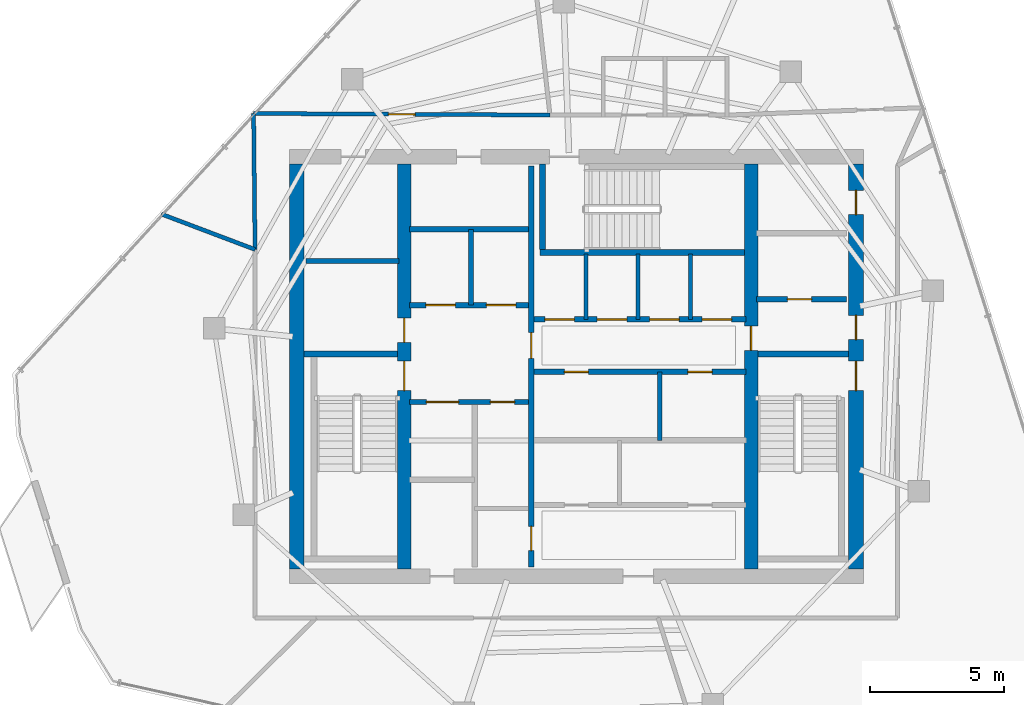
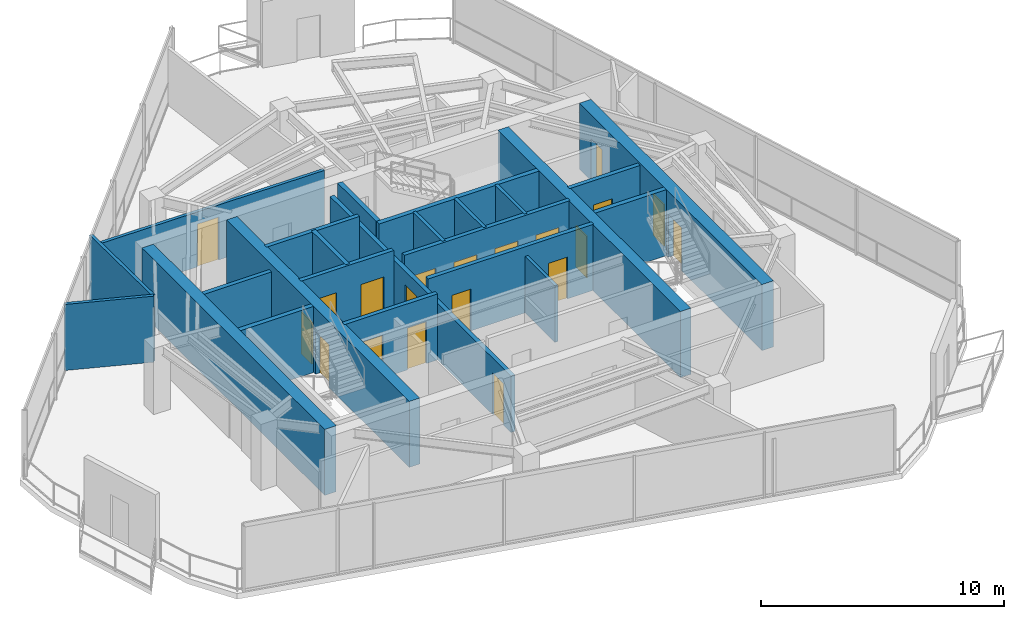
# One storey, part 15 of 18: 24 walls, 20 doors, 20 openings.
"""IFC4 building model written with IfcOpenShell, lengths in metres."""

from ifc_helpers import new_model, si_unit, direction, frame, frame_2d, origin, place, context, subcontext, project, spatial, rectangle, extrude, material, layer, layer_set, type_object, element, fill, save


model = new_model("IFC4")

# Units and contexts
model_context = context("Model", 3, precision=1e-05, world=origin(), true_north=direction((0.0, 1.0)))
body_context = subcontext(model_context, "Body", "Model", "MODEL_VIEW")
ifc_project = project(units=[si_unit("LENGTHUNIT", "METRE"), si_unit("AREAUNIT", "SQUARE_METRE"), si_unit("VOLUMEUNIT", "CUBIC_METRE"), si_unit("PLANEANGLEUNIT", "RADIAN"), si_unit("MASSUNIT", "GRAM", prefix="KILO")], contexts=[model_context])

# Site, building, storey
site_placement = place(None, origin())
site = spatial("IfcSite", under=ifc_project, at=site_placement, CompositionType="ELEMENT")
building_placement = place(site_placement, origin())
building = spatial("IfcBuilding", under=site, at=building_placement, Name="Qarnah Convention Tower", CompositionType="ELEMENT")
storey_placement = place(building_placement, frame((0.0, 0.0, 246.300048828125)))
storey = spatial("IfcBuildingStorey", under=building, at=storey_placement, Name="L66", CompositionType="ELEMENT", Elevation=246.300048828125)

# Wall
ifc_material_1 = material(Name="Concrete C60/75", Category="concrete")
ifc_layer_1 = layer(ifc_material_1, 0.550048828125)
ifc_layer_set_1 = layer_set([ifc_layer_1], Name="Concrete C60/75")
wall_type_1 = type_object("IfcWallType", Name="WL-CORE-550", PredefinedType="SHEAR", material=ifc_layer_set_1)
wall_1_placement = place(storey_placement, frame((26.800048828125, 18.875, 0.0), z_axis=(0.0, 0.0, 1.0), x_axis=(0.0, 1.0, 0.0)))
element("IfcWall", 1, at=wall_1_placement, inside=storey, type_object=wall_type_1, Name="L66 core west shear wall", PredefinedType="SHEAR", context=body_context, shape_type="SweptSolid", body=[
    extrude(rectangle(XDim=15.050048828125, YDim=0.550048828125, at=frame_2d((7.52490234375, 0.0))), origin(), (0.0, 0.0, 1.0), 3.320068359375),
])

# Wall, openings, doors
wall_2_placement = place(storey_placement, frame((47.60009765625, 18.875, 0.0), z_axis=(0.0, 0.0, 1.0), x_axis=(0.0, 1.0, 0.0)))
wall_2 = element("IfcWall", 2, at=wall_2_placement, inside=storey, type_object=wall_type_1, Name="L66 core east shear wall", PredefinedType="SHEAR", context=body_context, shape_type="SweptSolid", body=[
    extrude(rectangle(XDim=15.050048828125, YDim=0.550048828125, at=frame_2d((7.52490234375, 0.0))), origin(), (0.0, 0.0, 1.0), 3.320068359375),
])
opening_1_placement = place(wall_2_placement, frame((6.625, 0.0, 0.0)))
opening_1 = element("IfcOpeningElement", 3, at=opening_1_placement, cuts=wall_2, Name="Opening D-6602", PredefinedType="OPENING", context=body_context, shape_type="SweptSolid", body=[
    extrude(rectangle(XDim=1.10009765625, YDim=2.14990234375, at=frame_2d((0.550048828125, 1.074951171875))), frame((0.0, 0.284912109375, 0.0), z_axis=(0.0, -1.0, 0.0), x_axis=(1.0, 0.0, 0.0)), (0.0, 0.0, 1.0), 0.570068359375),
])
opening_2_placement = place(wall_2_placement, frame((8.52490234375, 0.0, 0.0)))
opening_2 = element("IfcOpeningElement", 4, at=opening_2_placement, cuts=wall_2, Name="Opening D-6606", PredefinedType="OPENING", context=body_context, shape_type="SweptSolid", body=[
    extrude(rectangle(XDim=0.89990234375, YDim=2.10009765625, at=frame_2d((0.449951171875, 1.050048828125))), frame((0.0, 0.284912109375, 0.0), z_axis=(0.0, -1.0, 0.0), x_axis=(1.0, 0.0, 0.0)), (0.0, 0.0, 1.0), 0.570068359375),
])
opening_3_placement = place(wall_2_placement, frame((13.175048828125, 0.0, 0.0)))
opening_3 = element("IfcOpeningElement", 5, at=opening_3_placement, cuts=wall_2, Name="Opening D-6612", PredefinedType="OPENING", context=body_context, shape_type="SweptSolid", body=[
    extrude(rectangle(XDim=0.89990234375, YDim=2.10009765625, at=frame_2d((0.449951171875, 1.050048828125))), frame((0.0, 0.284912109375, 0.0), z_axis=(0.0, -1.0, 0.0), x_axis=(1.0, 0.0, 0.0)), (0.0, 0.0, 1.0), 0.570068359375),
])
ifc_material_2 = material(Name="Structural steel S355JR", Category="steel")
door_type_1 = type_object("IfcDoorType", Name="DT-RISER-900", OperationType="NOTDEFINED", PredefinedType="DOOR", material=ifc_material_2)
door_1_placement = place(opening_2_placement, origin())
door_1 = element("IfcDoor", 6, at=door_1_placement, inside=storey, type_object=door_type_1, Name="Door D-6606", OperationType="SINGLE_SWING_LEFT", OverallHeight=2.10009765625, OverallWidth=0.89990234375, PredefinedType="DOOR", context=body_context, shape_type="SweptSolid", body=[
    extrude(rectangle(XDim=0.89990234375, YDim=2.10009765625, at=frame_2d((0.449951171875, 1.050048828125))), frame((0.0, 0.02490234375, 0.0), z_axis=(0.0, -1.0, 0.0), x_axis=(1.0, 0.0, 0.0)), (0.0, 0.0, 1.0), 0.050048828125),
])
fill(opening_2, door_1)
door_2_placement = place(opening_3_placement, origin())
door_2 = element("IfcDoor", 7, at=door_2_placement, inside=storey, type_object=door_type_1, Name="Door D-6612", OperationType="SINGLE_SWING_LEFT", OverallHeight=2.10009765625, OverallWidth=0.89990234375, PredefinedType="DOOR", context=body_context, shape_type="SweptSolid", body=[
    extrude(rectangle(XDim=0.89990234375, YDim=2.10009765625, at=frame_2d((0.449951171875, 1.050048828125))), frame((0.0, 0.02490234375, 0.0), z_axis=(0.0, -1.0, 0.0), x_axis=(1.0, 0.0, 0.0)), (0.0, 0.0, 1.0), 0.050048828125),
])
fill(opening_3, door_2)
door_type_2 = type_object("IfcDoorType", Name="DT-STAIR-1100", OperationType="NOTDEFINED", PredefinedType="DOOR", material=ifc_material_2)
door_3_placement = place(opening_1_placement, origin())
door_3 = element("IfcDoor", 8, at=door_3_placement, inside=storey, type_object=door_type_2, Name="Door D-6602", OperationType="SINGLE_SWING_LEFT", OverallHeight=2.14990234375, OverallWidth=1.10009765625, PredefinedType="DOOR", context=body_context, shape_type="SweptSolid", body=[
    extrude(rectangle(XDim=1.10009765625, YDim=2.14990234375, at=frame_2d((0.550048828125, 1.074951171875))), frame((0.0, 0.02490234375, 0.0), z_axis=(0.0, -1.0, 0.0), x_axis=(1.0, 0.0, 0.0)), (0.0, 0.0, 1.0), 0.050048828125),
])
fill(opening_1, door_3)

ifc_layer_2 = layer(ifc_material_1, 0.5)
ifc_layer_set_2 = layer_set([ifc_layer_2], Name="Concrete C60/75")
wall_type_2 = type_object("IfcWallType", Name="WL-CORE-INT-400", PredefinedType="SHEAR", material=ifc_layer_set_2)
wall_3_placement = place(storey_placement, frame((30.800048828125, 18.875, 0.0), z_axis=(0.0, 0.0, 1.0), x_axis=(0.0, 1.0, 0.0)))
wall_3 = element("IfcWall", 9, at=wall_3_placement, inside=storey, type_object=wall_type_2, Name="L66 core west spine shear wall", PredefinedType="SHEAR", context=body_context, shape_type="SweptSolid", body=[
    extrude(rectangle(XDim=15.050048828125, YDim=0.5, at=frame_2d((7.52490234375, 0.0))), origin(), (0.0, 0.0, 1.0), 3.320068359375),
])
opening_4_placement = place(wall_3_placement, frame((6.625, 0.0, 0.0)))
opening_4 = element("IfcOpeningElement", 10, at=opening_4_placement, cuts=wall_3, Name="Opening D-6601", PredefinedType="OPENING", context=body_context, shape_type="SweptSolid", body=[
    extrude(rectangle(XDim=1.10009765625, YDim=2.14990234375, at=frame_2d((0.550048828125, 1.074951171875))), frame((0.0, 0.260009765625, 0.0), z_axis=(0.0, -1.0, 0.0), x_axis=(1.0, 0.0, 0.0)), (0.0, 0.0, 1.0), 0.52001953125),
])
opening_5_placement = place(wall_3_placement, frame((8.425048828125, 0.0, 0.0)))
opening_5 = element("IfcOpeningElement", 11, at=opening_5_placement, cuts=wall_3, Name="Opening D-6608", PredefinedType="OPENING", context=body_context, shape_type="SweptSolid", body=[
    extrude(rectangle(XDim=0.89990234375, YDim=2.10009765625, at=frame_2d((0.449951171875, 1.050048828125))), frame((0.0, 0.260009765625, 0.0), z_axis=(0.0, -1.0, 0.0), x_axis=(1.0, 0.0, 0.0)), (0.0, 0.0, 1.0), 0.52001953125),
])
door_4_placement = place(opening_5_placement, origin())
door_4 = element("IfcDoor", 12, at=door_4_placement, inside=storey, type_object=door_type_1, Name="Door D-6608", OperationType="SINGLE_SWING_LEFT", OverallHeight=2.10009765625, OverallWidth=0.89990234375, PredefinedType="DOOR", context=body_context, shape_type="SweptSolid", body=[
    extrude(rectangle(XDim=0.89990234375, YDim=2.10009765625, at=frame_2d((0.449951171875, 1.050048828125))), frame((0.0, 0.02490234375, 0.0), z_axis=(0.0, -1.0, 0.0), x_axis=(1.0, 0.0, 0.0)), (0.0, 0.0, 1.0), 0.050048828125),
])
fill(opening_5, door_4)
door_5_placement = place(opening_4_placement, origin())
door_5 = element("IfcDoor", 13, at=door_5_placement, inside=storey, type_object=door_type_2, Name="Door D-6601", OperationType="SINGLE_SWING_RIGHT", OverallHeight=2.14990234375, OverallWidth=1.10009765625, PredefinedType="DOOR", context=body_context, shape_type="SweptSolid", body=[
    extrude(rectangle(XDim=1.10009765625, YDim=2.14990234375, at=frame_2d((0.550048828125, 1.074951171875))), frame((0.0, 0.02490234375, 0.0), z_axis=(0.0, -1.0, 0.0), x_axis=(1.0, 0.0, 0.0)), (0.0, 0.0, 1.0), 0.050048828125),
])
fill(opening_4, door_5)

# Wall, opening, door
wall_4_placement = place(storey_placement, frame((43.699951171875, 18.875, 0.0), z_axis=(0.0, 0.0, 1.0), x_axis=(0.0, 1.0, 0.0)))
wall_4 = element("IfcWall", 14, at=wall_4_placement, inside=storey, type_object=wall_type_2, Name="L66 core east spine shear wall", PredefinedType="SHEAR", context=body_context, shape_type="SweptSolid", body=[
    extrude(rectangle(XDim=15.050048828125, YDim=0.5, at=frame_2d((7.52490234375, 0.0))), origin(), (0.0, 0.0, 1.0), 3.320068359375),
])
opening_6_placement = place(wall_4_placement, frame((8.125, 0.0, 0.0)))
opening_6 = element("IfcOpeningElement", 15, at=opening_6_placement, cuts=wall_4, Name="Opening D-6605", PredefinedType="OPENING", context=body_context, shape_type="SweptSolid", body=[
    extrude(rectangle(XDim=0.89990234375, YDim=2.10009765625, at=frame_2d((0.449951171875, 1.050048828125))), frame((0.0, 0.260009765625, 0.0), z_axis=(0.0, -1.0, 0.0), x_axis=(1.0, 0.0, 0.0)), (0.0, 0.0, 1.0), 0.52001953125),
])
door_6_placement = place(opening_6_placement, origin())
door_6 = element("IfcDoor", 16, at=door_6_placement, inside=storey, type_object=door_type_1, Name="Door D-6605", OperationType="SINGLE_SWING_RIGHT", OverallHeight=2.10009765625, OverallWidth=0.89990234375, PredefinedType="DOOR", context=body_context, shape_type="SweptSolid", body=[
    extrude(rectangle(XDim=0.89990234375, YDim=2.10009765625, at=frame_2d((0.449951171875, 1.050048828125))), frame((0.0, 0.02490234375, 0.0), z_axis=(0.0, -1.0, 0.0), x_axis=(1.0, 0.0, 0.0)), (0.0, 0.0, 1.0), 0.050048828125),
])
fill(opening_6, door_6)

# Wall
ifc_material_3 = material(Name="Concrete C45/55", Category="concrete")
ifc_layer_3 = layer(ifc_material_3, 0.199951171875)
ifc_layer_set_3 = layer_set([ifc_layer_3], Name="Concrete C45/55")
wall_type_3 = type_object("IfcWallType", Name="WL-CORE-PART-200", PredefinedType="SOLIDWALL", material=ifc_layer_set_3)
wall_5_placement = place(storey_placement, frame((27.14990234375, 30.320068359375, 0.0), z_axis=(0.0, 0.0, 1.0), x_axis=(1.0, 0.0, 0.0)))
element("IfcWall", 17, at=wall_5_placement, inside=storey, type_object=wall_type_3, Name="L66 interior wall IW-L66-ELRN", PredefinedType="SOLIDWALL", context=body_context, shape_type="SweptSolid", body=[
    extrude(rectangle(XDim=3.4501953125, YDim=0.199951171875, at=frame_2d((1.72509765625, 0.0))), origin(), (0.0, 0.0, 1.0), 2.948974609375),
])

# Wall, opening, door
wall_6_placement = place(storey_placement, frame((43.89990234375, 28.89990234375, 0.0), z_axis=(0.0, 0.0, 1.0), x_axis=(1.0, 0.0, 0.0)))
wall_6 = element("IfcWall", 18, at=wall_6_placement, inside=storey, type_object=wall_type_3, Name="L66 interior wall IW-L66-EVSTN", PredefinedType="SOLIDWALL", context=body_context, shape_type="SweptSolid", body=[
    extrude(rectangle(XDim=3.35009765625, YDim=0.199951171875, at=frame_2d((1.675048828125, 0.0))), origin(), (0.0, 0.0, 1.0), 3.320068359375),
])
opening_7_placement = place(wall_6_placement, frame((1.14990234375, 0.0, 0.0)))
opening_7 = element("IfcOpeningElement", 19, at=opening_7_placement, cuts=wall_6, Name="Opening D-6611", PredefinedType="OPENING", context=body_context, shape_type="SweptSolid", body=[
    extrude(rectangle(XDim=0.89990234375, YDim=2.10009765625, at=frame_2d((0.449951171875, 1.050048828125))), frame((0.0, 0.10986328125, 0.0), z_axis=(0.0, -1.0, 0.0), x_axis=(1.0, 0.0, 0.0)), (0.0, 0.0, 1.0), 0.219970703125),
])
door_7_placement = place(opening_7_placement, origin())
door_7 = element("IfcDoor", 20, at=door_7_placement, inside=storey, type_object=door_type_1, Name="Door D-6611", OperationType="SINGLE_SWING_RIGHT", OverallHeight=2.10009765625, OverallWidth=0.89990234375, PredefinedType="DOOR", context=body_context, shape_type="SweptSolid", body=[
    extrude(rectangle(XDim=0.89990234375, YDim=2.10009765625, at=frame_2d((0.449951171875, 1.050048828125))), frame((0.0, 0.02490234375, 0.0), z_axis=(0.0, -1.0, 0.0), x_axis=(1.0, 0.0, 0.0)), (0.0, 0.0, 1.0), 0.050048828125),
])
fill(opening_7, door_7)

# Wall, openings, doors
wall_7_placement = place(storey_placement, frame((35.52001953125, 18.949951171875, 0.0), z_axis=(0.0, 0.0, 1.0), x_axis=(0.0, 1.0, 0.0)))
wall_7 = element("IfcWall", 21, at=wall_7_placement, inside=storey, type_object=wall_type_3, Name="L66 interior wall IW-L66-CSP", PredefinedType="SOLIDWALL", context=body_context, shape_type="SweptSolid", body=[
    extrude(rectangle(XDim=14.900146484375, YDim=0.199951171875, at=frame_2d((7.4501953125, 0.0))), origin(), (0.0, 0.0, 1.0), 2.841064453125),
])
opening_8_placement = place(wall_7_placement, frame((7.7548828125, 0.0, 0.0)))
opening_8 = element("IfcOpeningElement", 22, at=opening_8_placement, cuts=wall_7, Name="Opening D-6604", PredefinedType="OPENING", context=body_context, shape_type="SweptSolid", body=[
    extrude(rectangle(XDim=0.949951171875, YDim=2.14990234375, at=frame_2d((0.47509765625, 1.074951171875))), frame((0.0, 0.10986328125, 0.0), z_axis=(0.0, -1.0, 0.0), x_axis=(1.0, 0.0, 0.0)), (0.0, 0.0, 1.0), 0.219970703125),
])
opening_9_placement = place(wall_7_placement, frame((0.60009765625, 0.0, 0.0)))
opening_9 = element("IfcOpeningElement", 23, at=opening_9_placement, cuts=wall_7, Name="Opening D-6614", PredefinedType="OPENING", context=body_context, shape_type="SweptSolid", body=[
    extrude(rectangle(XDim=0.89990234375, YDim=2.10009765625, at=frame_2d((0.449951171875, 1.050048828125))), frame((0.0, 0.10986328125, 0.0), z_axis=(0.0, -1.0, 0.0), x_axis=(1.0, 0.0, 0.0)), (0.0, 0.0, 1.0), 0.219970703125),
])
ifc_material_4 = material(Name="Oak timber veneer", Category="wood")
door_type_3 = type_object("IfcDoorType", Name="DT-HOTEL-950", OperationType="NOTDEFINED", PredefinedType="DOOR", material=ifc_material_4)
door_8_placement = place(opening_8_placement, origin())
door_8 = element("IfcDoor", 24, at=door_8_placement, inside=storey, type_object=door_type_3, Name="Door D-6604", OperationType="SINGLE_SWING_LEFT", OverallHeight=2.14990234375, OverallWidth=0.949951171875, PredefinedType="DOOR", context=body_context, shape_type="SweptSolid", body=[
    extrude(rectangle(XDim=0.949951171875, YDim=2.14990234375, at=frame_2d((0.47509765625, 1.074951171875))), frame((0.0, 0.02490234375, 0.0), z_axis=(0.0, -1.0, 0.0), x_axis=(1.0, 0.0, 0.0)), (0.0, 0.0, 1.0), 0.050048828125),
])
fill(opening_8, door_8)
door_9_placement = place(opening_9_placement, origin())
door_9 = element("IfcDoor", 25, at=door_9_placement, inside=storey, type_object=door_type_1, Name="Door D-6614", OperationType="SINGLE_SWING_LEFT", OverallHeight=2.10009765625, OverallWidth=0.89990234375, PredefinedType="DOOR", context=body_context, shape_type="SweptSolid", body=[
    extrude(rectangle(XDim=0.89990234375, YDim=2.10009765625, at=frame_2d((0.449951171875, 1.050048828125))), frame((0.0, 0.02490234375, 0.0), z_axis=(0.0, -1.0, 0.0), x_axis=(1.0, 0.0, 0.0)), (0.0, 0.0, 1.0), 0.050048828125),
])
fill(opening_9, door_9)

wall_8_placement = place(storey_placement, frame((31.0, 28.679931640625, 0.0), z_axis=(0.0, 0.0, 1.0), x_axis=(1.0, 0.0, 0.0)))
wall_8 = element("IfcWall", 26, at=wall_8_placement, inside=storey, type_object=wall_type_3, Name="L66 interior wall IW-L66-FFLS", PredefinedType="SOLIDWALL", context=body_context, shape_type="SweptSolid", body=[
    extrude(rectangle(XDim=4.419921875, YDim=0.199951171875, at=frame_2d((2.2099609375, 0.0))), origin(), (0.0, 0.0, 1.0), 3.320068359375),
])
opening_10_placement = place(wall_8_placement, frame((0.60009765625, 0.0, 0.0)))
opening_10 = element("IfcOpeningElement", 27, at=opening_10_placement, cuts=wall_8, Name="Opening LD-6601", PredefinedType="OPENING", context=body_context, shape_type="SweptSolid", body=[
    extrude(rectangle(XDim=1.10009765625, YDim=2.14990234375, at=frame_2d((0.550048828125, 1.074951171875))), frame((0.0, 0.10986328125, 0.0), z_axis=(0.0, -1.0, 0.0), x_axis=(1.0, 0.0, 0.0)), (0.0, 0.0, 1.0), 0.219970703125),
])
opening_11_placement = place(wall_8_placement, frame((2.85009765625, 0.0, 0.0)))
opening_11 = element("IfcOpeningElement", 28, at=opening_11_placement, cuts=wall_8, Name="Opening LD-6602", PredefinedType="OPENING", context=body_context, shape_type="SweptSolid", body=[
    extrude(rectangle(XDim=1.10009765625, YDim=2.14990234375, at=frame_2d((0.550048828125, 1.074951171875))), frame((0.0, 0.10986328125, 0.0), z_axis=(0.0, -1.0, 0.0), x_axis=(1.0, 0.0, 0.0)), (0.0, 0.0, 1.0), 0.219970703125),
])
door_type_4 = type_object("IfcDoorType", Name="DT-LIFT-1100", OperationType="SLIDING_TO_LEFT", PredefinedType="DOOR", material=ifc_material_2)
door_10_placement = place(opening_10_placement, origin())
door_10 = element("IfcDoor", 29, at=door_10_placement, inside=storey, type_object=door_type_4, Name="Door LD-6601", OperationType="SLIDING_TO_LEFT", OverallHeight=2.14990234375, OverallWidth=1.10009765625, PredefinedType="DOOR", context=body_context, shape_type="SweptSolid", body=[
    extrude(rectangle(XDim=1.10009765625, YDim=2.14990234375, at=frame_2d((0.550048828125, 1.074951171875))), frame((0.0, 0.02490234375, 0.0), z_axis=(0.0, -1.0, 0.0), x_axis=(1.0, 0.0, 0.0)), (0.0, 0.0, 1.0), 0.050048828125),
])
fill(opening_10, door_10)
door_11_placement = place(opening_11_placement, origin())
door_11 = element("IfcDoor", 30, at=door_11_placement, inside=storey, type_object=door_type_4, Name="Door LD-6602", OperationType="SLIDING_TO_LEFT", OverallHeight=2.14990234375, OverallWidth=1.10009765625, PredefinedType="DOOR", context=body_context, shape_type="SweptSolid", body=[
    extrude(rectangle(XDim=1.10009765625, YDim=2.14990234375, at=frame_2d((0.550048828125, 1.074951171875))), frame((0.0, 0.02490234375, 0.0), z_axis=(0.0, -1.0, 0.0), x_axis=(1.0, 0.0, 0.0)), (0.0, 0.0, 1.0), 0.050048828125),
])
fill(opening_11, door_11)

# Walls
wall_9_placement = place(storey_placement, frame((31.0, 31.5, 0.0), z_axis=(0.0, 0.0, 1.0), x_axis=(1.0, 0.0, 0.0)))
element("IfcWall", 31, at=wall_9_placement, inside=storey, type_object=wall_type_3, Name="L66 interior wall IW-L66-FFLN", PredefinedType="SOLIDWALL", context=body_context, shape_type="SweptSolid", body=[
    extrude(rectangle(XDim=4.419921875, YDim=0.199951171875, at=frame_2d((2.2099609375, 0.0))), origin(), (0.0, 0.0, 1.0), 3.320068359375),
])
wall_10_placement = place(storey_placement, frame((33.280029296875, 28.679931640625, 0.0), z_axis=(0.0, 0.0, 1.0), x_axis=(0.0, 1.0, 0.0)))
element("IfcWall", 32, at=wall_10_placement, inside=storey, type_object=wall_type_3, Name="L66 interior wall IW-L66-FFLM", PredefinedType="SOLIDWALL", context=body_context, shape_type="SweptSolid", body=[
    extrude(rectangle(XDim=2.820068359375, YDim=0.199951171875, at=frame_2d((1.41015625, 0.0))), origin(), (0.0, 0.0, 1.0), 3.320068359375),
])

# Wall, openings, doors
wall_11_placement = place(storey_placement, frame((31.0, 25.080078125, 0.0), z_axis=(0.0, 0.0, 1.0), x_axis=(1.0, 0.0, 0.0)))
wall_11 = element("IfcWall", 33, at=wall_11_placement, inside=storey, type_object=wall_type_3, Name="L66 interior wall IW-L66-FFLBS", PredefinedType="SOLIDWALL", context=body_context, shape_type="SweptSolid", body=[
    extrude(rectangle(XDim=4.419921875, YDim=0.199951171875, at=frame_2d((2.2099609375, 0.0))), origin(), (0.0, 0.0, 1.0), 3.320068359375),
])
opening_12_placement = place(wall_11_placement, frame((3.0, 0.0, 0.0)))
opening_12 = element("IfcOpeningElement", 34, at=opening_12_placement, cuts=wall_11, Name="Opening D-6615", PredefinedType="OPENING", context=body_context, shape_type="SweptSolid", body=[
    extrude(rectangle(XDim=0.89990234375, YDim=2.10009765625, at=frame_2d((0.449951171875, 1.050048828125))), frame((0.0, 0.10986328125, 0.0), z_axis=(0.0, -1.0, 0.0), x_axis=(1.0, 0.0, 0.0)), (0.0, 0.0, 1.0), 0.219970703125),
])
opening_13_placement = place(wall_11_placement, frame((0.6201171875, 0.0, 0.0)))
opening_13 = element("IfcOpeningElement", 35, at=opening_13_placement, cuts=wall_11, Name="Opening LD-6603", PredefinedType="OPENING", context=body_context, shape_type="SweptSolid", body=[
    extrude(rectangle(XDim=1.199951171875, YDim=2.14990234375, at=frame_2d((0.60009765625, 1.074951171875))), frame((0.0, 0.10986328125, 0.0), z_axis=(0.0, -1.0, 0.0), x_axis=(1.0, 0.0, 0.0)), (0.0, 0.0, 1.0), 0.219970703125),
])
door_type_5 = type_object("IfcDoorType", Name="DT-LIFT-1200", OperationType="SLIDING_TO_LEFT", PredefinedType="DOOR", material=ifc_material_2)
door_12_placement = place(opening_13_placement, origin())
door_12 = element("IfcDoor", 36, at=door_12_placement, inside=storey, type_object=door_type_5, Name="Door LD-6603", OperationType="SLIDING_TO_LEFT", OverallHeight=2.14990234375, OverallWidth=1.199951171875, PredefinedType="DOOR", context=body_context, shape_type="SweptSolid", body=[
    extrude(rectangle(XDim=1.199951171875, YDim=2.14990234375, at=frame_2d((0.60009765625, 1.074951171875))), frame((0.0, 0.02490234375, 0.0), z_axis=(0.0, -1.0, 0.0), x_axis=(1.0, 0.0, 0.0)), (0.0, 0.0, 1.0), 0.050048828125),
])
fill(opening_13, door_12)
door_13_placement = place(opening_12_placement, origin())
door_13 = element("IfcDoor", 37, at=door_13_placement, inside=storey, type_object=door_type_1, Name="Door D-6615", OperationType="SINGLE_SWING_RIGHT", OverallHeight=2.10009765625, OverallWidth=0.89990234375, PredefinedType="DOOR", context=body_context, shape_type="SweptSolid", body=[
    extrude(rectangle(XDim=0.89990234375, YDim=2.10009765625, at=frame_2d((0.449951171875, 1.050048828125))), frame((0.0, 0.02490234375, 0.0), z_axis=(0.0, -1.0, 0.0), x_axis=(1.0, 0.0, 0.0)), (0.0, 0.0, 1.0), 0.050048828125),
])
fill(opening_12, door_13)

wall_12_placement = place(storey_placement, frame((35.6201171875, 28.14990234375, 0.0), z_axis=(0.0, 0.0, 1.0), x_axis=(1.0, 0.0, 0.0)))
wall_12 = element("IfcWall", 38, at=wall_12_placement, inside=storey, type_object=wall_type_3, Name="L66 interior wall IW-L66-PHS", PredefinedType="SOLIDWALL", context=body_context, shape_type="SweptSolid", body=[
    extrude(rectangle(XDim=7.8798828125, YDim=0.199951171875, at=frame_2d((3.93994140625, 0.0))), origin(), (0.0, 0.0, 1.0), 3.320068359375),
])
opening_14_placement = place(wall_12_placement, frame((0.405029296875, 0.0, 0.0)))
opening_14 = element("IfcOpeningElement", 39, at=opening_14_placement, cuts=wall_12, Name="Opening LD-6604", PredefinedType="OPENING", context=body_context, shape_type="SweptSolid", body=[
    extrude(rectangle(XDim=1.10009765625, YDim=2.14990234375, at=frame_2d((0.550048828125, 1.074951171875))), frame((0.0, 0.10986328125, 0.0), z_axis=(0.0, -1.0, 0.0), x_axis=(1.0, 0.0, 0.0)), (0.0, 0.0, 1.0), 0.219970703125),
])
opening_15_placement = place(wall_12_placement, frame((2.35498046875, 0.0, 0.0)))
opening_15 = element("IfcOpeningElement", 40, at=opening_15_placement, cuts=wall_12, Name="Opening LD-6605", PredefinedType="OPENING", context=body_context, shape_type="SweptSolid", body=[
    extrude(rectangle(XDim=1.10009765625, YDim=2.14990234375, at=frame_2d((0.550048828125, 1.074951171875))), frame((0.0, 0.10986328125, 0.0), z_axis=(0.0, -1.0, 0.0), x_axis=(1.0, 0.0, 0.0)), (0.0, 0.0, 1.0), 0.219970703125),
])
opening_16_placement = place(wall_12_placement, frame((4.304931640625, 0.0, 0.0)))
opening_16 = element("IfcOpeningElement", 41, at=opening_16_placement, cuts=wall_12, Name="Opening LD-6606", PredefinedType="OPENING", context=body_context, shape_type="SweptSolid", body=[
    extrude(rectangle(XDim=1.10009765625, YDim=2.14990234375, at=frame_2d((0.550048828125, 1.074951171875))), frame((0.0, 0.10986328125, 0.0), z_axis=(0.0, -1.0, 0.0), x_axis=(1.0, 0.0, 0.0)), (0.0, 0.0, 1.0), 0.219970703125),
])
opening_17_placement = place(wall_12_placement, frame((6.2548828125, 0.0, 0.0)))
opening_17 = element("IfcOpeningElement", 42, at=opening_17_placement, cuts=wall_12, Name="Opening LD-6607", PredefinedType="OPENING", context=body_context, shape_type="SweptSolid", body=[
    extrude(rectangle(XDim=1.10009765625, YDim=2.14990234375, at=frame_2d((0.550048828125, 1.074951171875))), frame((0.0, 0.10986328125, 0.0), z_axis=(0.0, -1.0, 0.0), x_axis=(1.0, 0.0, 0.0)), (0.0, 0.0, 1.0), 0.219970703125),
])
door_14_placement = place(opening_14_placement, origin())
door_14 = element("IfcDoor", 43, at=door_14_placement, inside=storey, type_object=door_type_4, Name="Door LD-6604", OperationType="SLIDING_TO_LEFT", OverallHeight=2.14990234375, OverallWidth=1.10009765625, PredefinedType="DOOR", context=body_context, shape_type="SweptSolid", body=[
    extrude(rectangle(XDim=1.10009765625, YDim=2.14990234375, at=frame_2d((0.550048828125, 1.074951171875))), frame((0.0, 0.02490234375, 0.0), z_axis=(0.0, -1.0, 0.0), x_axis=(1.0, 0.0, 0.0)), (0.0, 0.0, 1.0), 0.050048828125),
])
fill(opening_14, door_14)
door_15_placement = place(opening_15_placement, origin())
door_15 = element("IfcDoor", 44, at=door_15_placement, inside=storey, type_object=door_type_4, Name="Door LD-6605", OperationType="SLIDING_TO_LEFT", OverallHeight=2.14990234375, OverallWidth=1.10009765625, PredefinedType="DOOR", context=body_context, shape_type="SweptSolid", body=[
    extrude(rectangle(XDim=1.10009765625, YDim=2.14990234375, at=frame_2d((0.550048828125, 1.074951171875))), frame((0.0, 0.02490234375, 0.0), z_axis=(0.0, -1.0, 0.0), x_axis=(1.0, 0.0, 0.0)), (0.0, 0.0, 1.0), 0.050048828125),
])
fill(opening_15, door_15)
door_16_placement = place(opening_16_placement, origin())
door_16 = element("IfcDoor", 45, at=door_16_placement, inside=storey, type_object=door_type_4, Name="Door LD-6606", OperationType="SLIDING_TO_LEFT", OverallHeight=2.14990234375, OverallWidth=1.10009765625, PredefinedType="DOOR", context=body_context, shape_type="SweptSolid", body=[
    extrude(rectangle(XDim=1.10009765625, YDim=2.14990234375, at=frame_2d((0.550048828125, 1.074951171875))), frame((0.0, 0.02490234375, 0.0), z_axis=(0.0, -1.0, 0.0), x_axis=(1.0, 0.0, 0.0)), (0.0, 0.0, 1.0), 0.050048828125),
])
fill(opening_16, door_16)
door_17_placement = place(opening_17_placement, origin())
door_17 = element("IfcDoor", 46, at=door_17_placement, inside=storey, type_object=door_type_4, Name="Door LD-6607", OperationType="SLIDING_TO_LEFT", OverallHeight=2.14990234375, OverallWidth=1.10009765625, PredefinedType="DOOR", context=body_context, shape_type="SweptSolid", body=[
    extrude(rectangle(XDim=1.10009765625, YDim=2.14990234375, at=frame_2d((0.550048828125, 1.074951171875))), frame((0.0, 0.02490234375, 0.0), z_axis=(0.0, -1.0, 0.0), x_axis=(1.0, 0.0, 0.0)), (0.0, 0.0, 1.0), 0.050048828125),
])
fill(opening_17, door_17)

wall_13_placement = place(storey_placement, frame((35.6201171875, 26.199951171875, 0.0), z_axis=(0.0, 0.0, 1.0), x_axis=(1.0, 0.0, 0.0)))
wall_13 = element("IfcWall", 47, at=wall_13_placement, inside=storey, type_object=wall_type_3, Name="L66 interior wall IW-L66-PMN", PredefinedType="SOLIDWALL", context=body_context, shape_type="SweptSolid", body=[
    extrude(rectangle(XDim=7.8798828125, YDim=0.199951171875, at=frame_2d((3.93994140625, 0.0))), origin(), (0.0, 0.0, 1.0), 3.320068359375),
])
opening_18_placement = place(wall_13_placement, frame((1.1298828125, 0.0, 0.0)))
opening_18 = element("IfcOpeningElement", 48, at=opening_18_placement, cuts=wall_13, Name="Opening D-6618", PredefinedType="OPENING", context=body_context, shape_type="SweptSolid", body=[
    extrude(rectangle(XDim=0.89990234375, YDim=2.10009765625, at=frame_2d((0.449951171875, 1.050048828125))), frame((0.0, 0.10986328125, 0.0), z_axis=(0.0, -1.0, 0.0), x_axis=(1.0, 0.0, 0.0)), (0.0, 0.0, 1.0), 0.219970703125),
])
opening_19_placement = place(wall_13_placement, frame((5.72998046875, 0.0, 0.0)))
opening_19 = element("IfcOpeningElement", 49, at=opening_19_placement, cuts=wall_13, Name="Opening D-6619", PredefinedType="OPENING", context=body_context, shape_type="SweptSolid", body=[
    extrude(rectangle(XDim=0.89990234375, YDim=2.10009765625, at=frame_2d((0.449951171875, 1.050048828125))), frame((0.0, 0.10986328125, 0.0), z_axis=(0.0, -1.0, 0.0), x_axis=(1.0, 0.0, 0.0)), (0.0, 0.0, 1.0), 0.219970703125),
])
door_18_placement = place(opening_18_placement, origin())
door_18 = element("IfcDoor", 50, at=door_18_placement, inside=storey, type_object=door_type_1, Name="Door D-6618", OperationType="SINGLE_SWING_LEFT", OverallHeight=2.10009765625, OverallWidth=0.89990234375, PredefinedType="DOOR", context=body_context, shape_type="SweptSolid", body=[
    extrude(rectangle(XDim=0.89990234375, YDim=2.10009765625, at=frame_2d((0.449951171875, 1.050048828125))), frame((0.0, 0.02490234375, 0.0), z_axis=(0.0, -1.0, 0.0), x_axis=(1.0, 0.0, 0.0)), (0.0, 0.0, 1.0), 0.050048828125),
])
fill(opening_18, door_18)
door_19_placement = place(opening_19_placement, origin())
door_19 = element("IfcDoor", 51, at=door_19_placement, inside=storey, type_object=door_type_1, Name="Door D-6619", OperationType="SINGLE_SWING_RIGHT", OverallHeight=2.10009765625, OverallWidth=0.89990234375, PredefinedType="DOOR", context=body_context, shape_type="SweptSolid", body=[
    extrude(rectangle(XDim=0.89990234375, YDim=2.10009765625, at=frame_2d((0.449951171875, 1.050048828125))), frame((0.0, 0.02490234375, 0.0), z_axis=(0.0, -1.0, 0.0), x_axis=(1.0, 0.0, 0.0)), (0.0, 0.0, 1.0), 0.050048828125),
])
fill(opening_19, door_19)

# Walls
ifc_layer_4 = layer(ifc_material_1, 0.219970703125)
ifc_layer_set_4 = layer_set([ifc_layer_4], Name="Concrete C60/75")
wall_type_4 = type_object("IfcWallType", Name="WL-CORE-STAIR-220", PredefinedType="SHEAR", material=ifc_layer_set_4)
wall_14_placement = place(storey_placement, frame((27.074951171875, 26.860107421875, 0.0), z_axis=(0.0, 0.0, 1.0), x_axis=(1.0, 0.0, 0.0)))
element("IfcWall", 52, at=wall_14_placement, inside=storey, type_object=wall_type_4, Name="L66 stair shaft shear wall SW-L66-ST1N", PredefinedType="SHEAR", context=body_context, shape_type="SweptSolid", body=[
    extrude(rectangle(XDim=3.47509765625, YDim=0.219970703125, at=frame_2d((1.737548828125, 0.0))), origin(), (0.0, 0.0, 1.0), 3.320068359375),
])
wall_15_placement = place(storey_placement, frame((43.949951171875, 26.860107421875, 0.0), z_axis=(0.0, 0.0, 1.0), x_axis=(1.0, 0.0, 0.0)))
element("IfcWall", 53, at=wall_15_placement, inside=storey, type_object=wall_type_4, Name="L66 stair shaft shear wall SW-L66-ST2N", PredefinedType="SHEAR", context=body_context, shape_type="SweptSolid", body=[
    extrude(rectangle(XDim=3.375, YDim=0.219970703125, at=frame_2d((1.6875, 0.0))), origin(), (0.0, 0.0, 1.0), 3.320068359375),
])
wall_16_placement = place(storey_placement, frame((35.840087890625, 30.639892578125, 0.0), z_axis=(0.0, 0.0, 1.0), x_axis=(1.0, 0.0, 0.0)))
element("IfcWall", 54, at=wall_16_placement, inside=storey, type_object=wall_type_4, Name="L66 stair shaft shear wall SW-L66-ST3S", PredefinedType="SHEAR", context=body_context, shape_type="SweptSolid", body=[
    extrude(rectangle(XDim=7.60986328125, YDim=0.219970703125, at=frame_2d((3.804931640625, 0.0))), origin(), (0.0, 0.0, 1.0), 3.320068359375),
])
wall_17_placement = place(storey_placement, frame((35.93994140625, 30.75, 0.0), z_axis=(0.0, 0.0, 1.0), x_axis=(0.0, 1.0, 0.0)))
element("IfcWall", 55, at=wall_17_placement, inside=storey, type_object=wall_type_4, Name="L66 stair shaft shear wall SW-L66-ST3W", PredefinedType="SHEAR", context=body_context, shape_type="SweptSolid", body=[
    extrude(rectangle(XDim=3.175048828125, YDim=0.219970703125, at=frame_2d((1.58740234375, 0.0))), origin(), (0.0, 0.0, 1.0), 3.320068359375),
])
ifc_material_5 = material(Name="Gypsum partition board")
ifc_layer_5 = layer(ifc_material_5, 0.14990234375)
ifc_layer_set_5 = layer_set([ifc_layer_5], Name="Gypsum partition board")
wall_type_5 = type_object("IfcWallType", Name="WL-SUITE-150", PredefinedType="PARTITIONING", material=ifc_layer_set_5)
for number, where, z_axis, x_axis, name in (
    (56, (37.550048828125, 28.14990234375, 0.0), (0.0, 0.0, 1.0), (0.0, 1.0, 0.0), "L66 interior wall IW-L66-PHD1"),
    (57, (39.5, 28.14990234375, 0.0), (0.0, 0.0, 1.0), (0.0, 1.0, 0.0), "L66 interior wall IW-L66-PHD2"),
    (58, (41.449951171875, 28.14990234375, 0.0), (0.0, 0.0, 1.0), (0.0, 1.0, 0.0), "L66 interior wall IW-L66-PHD3"),
):
    element("IfcWall", number, at=place(storey_placement, frame(where, z_axis=z_axis, x_axis=x_axis)), inside=storey, type_object=wall_type_5, Name=name, PredefinedType="PARTITIONING", context=body_context, shape_type="SweptSolid", body=[
        extrude(rectangle(XDim=2.43017578125, YDim=0.14990234375, at=frame_2d((1.215087890625, 0.0))), origin(), (0.0, 0.0, 1.0), 3.320068359375),
    ])
wall_18_placement = place(storey_placement, frame((40.300048828125, 23.64990234375, 0.0), z_axis=(0.0, 0.0, 1.0), x_axis=(0.0, 1.0, 0.0)))
element("IfcWall", 59, at=wall_18_placement, inside=storey, type_object=wall_type_5, Name="L66 interior wall IW-L66-PMFD", PredefinedType="PARTITIONING", context=body_context, shape_type="SweptSolid", body=[
    extrude(rectangle(XDim=2.550048828125, YDim=0.14990234375, at=frame_2d((1.27490234375, 0.0))), origin(), (0.0, 0.0, 1.0), 2.841064453125),
])
wall_19_placement = place(storey_placement, frame((21.762939453125, 32.06689453125, 0.0), z_axis=(0.0, 0.0, 1.0), x_axis=(0.935424451938, -0.353526653474, 0.0)))
element("IfcWall", 60, at=wall_19_placement, inside=storey, type_object=wall_type_5, Name="L66 interior wall IW-L66-R-13", PredefinedType="PARTITIONING", context=body_context, shape_type="SweptSolid", body=[
    extrude(rectangle(XDim=3.727783203125, YDim=0.14990234375, at=frame_2d((1.86376953125, 0.0))), origin(), (0.0, 0.0, 1.0), 3.320068359375),
])
wall_20_placement = place(storey_placement, frame((25.25, 30.7490234375, 0.0), z_axis=(0.0, 0.0, 1.0), x_axis=(-0.010664387249, 0.999943133805, 0.0)))
element("IfcWall", 61, at=wall_20_placement, inside=storey, type_object=wall_type_5, Name="L66 interior wall IW-L66-R-14", PredefinedType="PARTITIONING", context=body_context, shape_type="SweptSolid", body=[
    extrude(rectangle(XDim=5.059326171875, YDim=0.14990234375, at=frame_2d((2.52978515625, 0.0))), origin(), (0.0, 0.0, 1.0), 3.320068359375),
])

# Wall, opening, door
wall_21_placement = place(storey_placement, frame((25.196044921875, 35.80810546875, 0.0), z_axis=(0.0, 0.0, 1.0), x_axis=(0.999986101969, -0.005272178731, 0.0)))
wall_21 = element("IfcWall", 62, at=wall_21_placement, inside=storey, type_object=wall_type_5, Name="L66 interior wall IW-L66-R-15", PredefinedType="PARTITIONING", context=body_context, shape_type="SweptSolid", body=[
    extrude(rectangle(XDim=11.021240234375, YDim=0.14990234375, at=frame_2d((5.5107421875, 0.0))), origin(), (0.0, 0.0, 1.0), 2.764892578125),
])
opening_20_placement = place(wall_21_placement, frame((5.010986328125, 0.0, 0.0)))
opening_20 = element("IfcOpeningElement", 63, at=opening_20_placement, cuts=wall_21, Name="Opening D-6623", PredefinedType="OPENING", context=body_context, shape_type="SweptSolid", body=[
    extrude(rectangle(XDim=1.0, YDim=2.14990234375, at=frame_2d((0.5, 1.074951171875))), frame((0.0, 0.0849609375, 0.0), z_axis=(0.0, -1.0, 0.0), x_axis=(1.0, 0.0, 0.0)), (0.0, 0.0, 1.0), 0.169921875),
])
door_type_6 = type_object("IfcDoorType", Name="DT-OFFICE-1000", OperationType="NOTDEFINED", PredefinedType="DOOR", material=ifc_material_4)
door_20_placement = place(opening_20_placement, origin())
door_20 = element("IfcDoor", 64, at=door_20_placement, inside=storey, type_object=door_type_6, Name="Door D-6623", OperationType="SINGLE_SWING_RIGHT", OverallHeight=2.14990234375, OverallWidth=1.0, PredefinedType="DOOR", context=body_context, shape_type="SweptSolid", body=[
    extrude(rectangle(XDim=1.0, YDim=2.14990234375, at=frame_2d((0.5, 1.074951171875))), frame((0.0, 0.02490234375, 0.0), z_axis=(0.0, -1.0, 0.0), x_axis=(1.0, 0.0, 0.0)), (0.0, 0.0, 1.0), 0.050048828125),
])
fill(opening_20, door_20)

save(model, "model.ifc")
